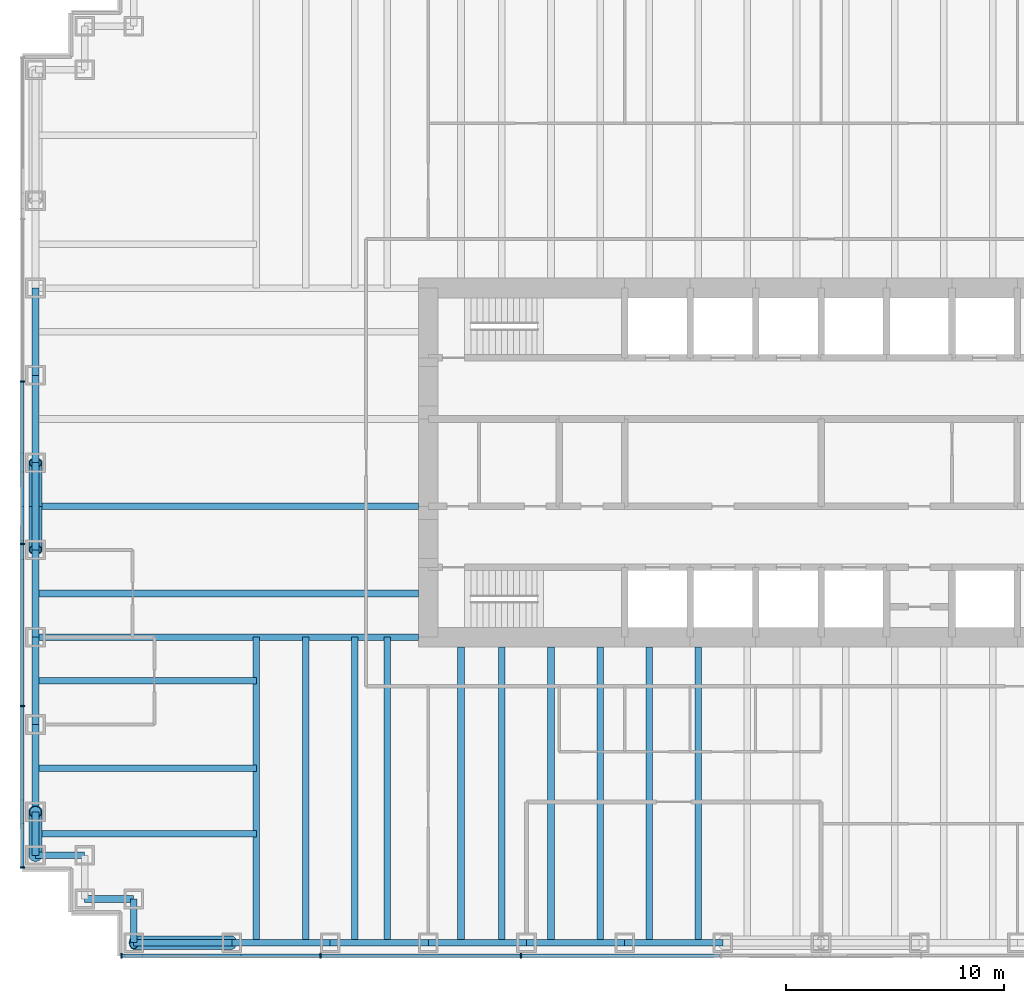
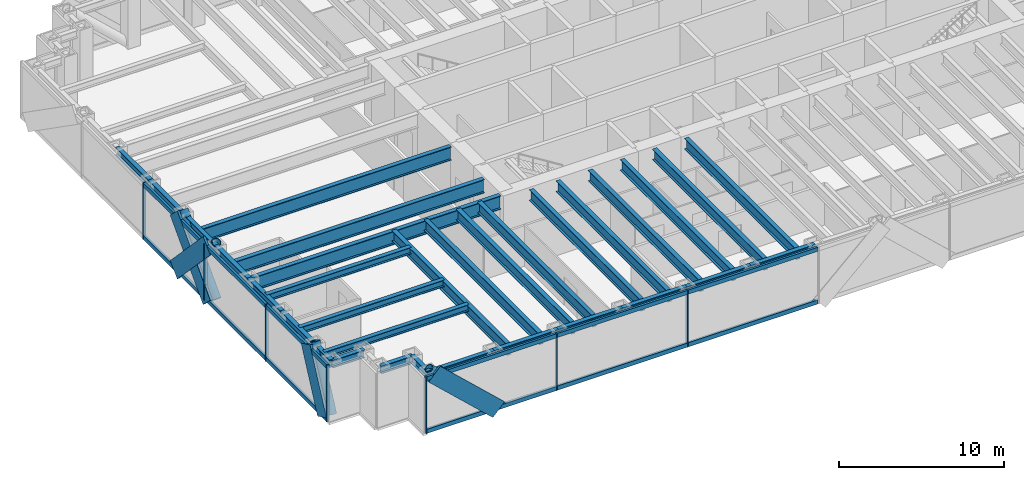
# One storey, part 2 of 17: 32 beams, 27 members, 2 elements without a shape of their own.
"""IFC4 building model written with IfcOpenShell, lengths in metres."""

import ifcopenshell
import ifcopenshell.guid

model = None  # the IFC model being written
_history = None  # IfcOwnerHistory: only IFC2X3 demands one
_inside = {}  # id of a spatial element -> (the spatial element, [elements in it])
_under = {}  # id of a project, library or spatial element -> (it, [spatial elements below it])
_declared = {}  # id of a project -> (the project, [libraries it declares])
_typed = {}  # id of a type object -> (the type object, [elements of that type])
_made_of = {}  # id of a material, layer set ... -> (it, [elements and type objects made of it])


def new_model(schema):
    """Start an empty IFC model of exactly this schema.

    Asked for "IFC4X3", IfcOpenShell would pick the latest addendum, in which some entities
    have other attributes; the version numbers below select the first issue.
    IFC2X3 requires an IfcOwnerHistory on every rooted entity: one is made here for all.
    """
    global model, _history
    if schema == "IFC4X3":
        model = ifcopenshell.file(schema_version=(4, 3, 0, 0))
    else:
        model = ifcopenshell.file(schema=schema)
    _inside.clear()
    _under.clear()
    _declared.clear()
    _typed.clear()
    _made_of.clear()
    _history = None
    if model.schema == "IFC2X3":
        org = make("IfcOrganization", Name="unknown")
        user = make(
            "IfcPersonAndOrganization",
            ThePerson=make("IfcPerson", FamilyName="unknown"),
            TheOrganization=org,
        )
        app = make(
            "IfcApplication",
            ApplicationDeveloper=org,
            Version="unknown",
            ApplicationFullName="unknown",
            ApplicationIdentifier="unknown",
        )
        _history = make(
            "IfcOwnerHistory",
            OwningUser=user,
            OwningApplication=app,
            ChangeAction="ADDED",
            CreationDate=0,
        )
    return model


def make(cls, **values):
    """One entity of the class cls with the attributes given. An attribute that is None is left unset."""
    return model.create_entity(
        cls, **{name: value for name, value in values.items() if value is not None}
    )


def rooted(cls, **values):
    """An entity with a GlobalId (a new one), such as an element, a storey or a relation."""
    return make(cls, GlobalId=ifcopenshell.guid.new(), OwnerHistory=_history, **values)


def si_unit(unit_type, name, prefix=None):
    """IfcSIUnit, for example si_unit("LENGTHUNIT", "METRE", prefix="MILLI")."""
    return make("IfcSIUnit", UnitType=unit_type, Prefix=prefix, Name=name)


def assignment(units):
    """IfcUnitAssignment: the units of a project."""
    return None if units is None else make("IfcUnitAssignment", Units=units)


def point(xyz):
    """IfcCartesianPoint."""
    return None if xyz is None else make("IfcCartesianPoint", Coordinates=xyz)


def direction(xyz):
    """IfcDirection."""
    return None if xyz is None else make("IfcDirection", DirectionRatios=xyz)


def frame(location, z_axis=None, x_axis=None):
    """IfcAxis2Placement3D, a coordinate frame: its origin and axes. An axis left out is left unset."""
    return make(
        "IfcAxis2Placement3D",
        Location=point(location),
        Axis=direction(z_axis),
        RefDirection=direction(x_axis),
    )


def frame_2d(location, x_axis=None):
    """IfcAxis2Placement2D, a coordinate frame in the plane: its origin and x axis."""
    return make(
        "IfcAxis2Placement2D", Location=point(location), RefDirection=direction(x_axis)
    )


def origin():
    """The frame at (0, 0, 0) with its axes left unset."""
    return frame((0.0, 0.0, 0.0))


def origin_2d():
    """The frame at (0, 0) in the plane with its x axis left unset."""
    return frame_2d((0.0, 0.0))


def place(relative_to, where):
    """IfcLocalPlacement: puts the frame where relative to a parent placement (None: the world)."""
    return make(
        "IfcLocalPlacement", PlacementRelTo=relative_to, RelativePlacement=where
    )


def context(
    kind, dimensions, precision=None, world=None, true_north=None, identifier=None
):
    """IfcGeometricRepresentationContext, for example the 3D "Model" context."""
    return make(
        "IfcGeometricRepresentationContext",
        ContextIdentifier=identifier,
        ContextType=kind,
        CoordinateSpaceDimension=dimensions,
        Precision=precision,
        WorldCoordinateSystem=world,
        TrueNorth=true_north,
    )


def subcontext(parent, identifier, kind, view, scale=None):
    """IfcGeometricRepresentationSubContext, for example "Body" below "Model"."""
    return make(
        "IfcGeometricRepresentationSubContext",
        ContextIdentifier=identifier,
        ContextType=kind,
        ParentContext=parent,
        TargetScale=scale,
        TargetView=view,
    )


def project(units=None, contexts=None):
    """IfcProject with its units and contexts."""
    return rooted(
        "IfcProject",
        Name="project",
        RepresentationContexts=contexts,
        UnitsInContext=assignment(units),
    )


def spatial(cls, under=None, at=None, **own):
    """A site, building, storey or space (cls), placed at a placement, below another one or the project."""
    s = rooted(cls, ObjectPlacement=at, **own)
    if under is not None:
        _under.setdefault(under.id(), (under, []))[1].append(s)
    return s


def profile(cls, at=None, kind="AREA", **sizes):
    """A parametric profile (cls). Its sizes go by their IFC names, for example OverallWidth=200.0."""
    return make(cls, ProfileType=kind, Position=at, **sizes)


def rectangle(**sizes):
    """IfcRectangleProfileDef."""
    return profile("IfcRectangleProfileDef", **sizes)


def hollow_circle(**sizes):
    """IfcCircleHollowProfileDef."""
    return profile("IfcCircleHollowProfileDef", **sizes)


def i_section(**sizes):
    """IfcIShapeProfileDef."""
    return profile("IfcIShapeProfileDef", **sizes)


def extrude(swept, where, along, depth):
    """IfcExtrudedAreaSolid: the profile swept, set in the frame where, extruded along a direction by depth."""
    return make(
        "IfcExtrudedAreaSolid",
        SweptArea=swept,
        Position=where,
        ExtrudedDirection=direction(along),
        Depth=depth,
    )


def shape(context_of_items, identifier, shape_type, items):
    """IfcShapeRepresentation: the items that make up one representation, for example the "Body"."""
    return make(
        "IfcShapeRepresentation",
        ContextOfItems=context_of_items,
        RepresentationIdentifier=identifier,
        RepresentationType=shape_type,
        Items=items,
    )


def material(Name=None, Category=None):
    """IfcMaterial."""
    return make("IfcMaterial", Name=Name, Category=Category)


def material_profile(
    of_material, cross_section, Name=None, Category=None, Priority=None
):
    """IfcMaterialProfile: a cross section and its material."""
    return make(
        "IfcMaterialProfile",
        Name=Name,
        Material=of_material,
        Profile=cross_section,
        Priority=Priority,
        Category=Category,
    )


def profile_set(profiles, Name=None, composite=None):
    """IfcMaterialProfileSet."""
    return make(
        "IfcMaterialProfileSet",
        Name=Name,
        MaterialProfiles=profiles,
        CompositeProfile=composite,
    )


def made_of(thing, what):
    """Note that an element or type object is made of a material, layer set ...; save() writes the relation."""
    if what is not None:
        _made_of.setdefault(what.id(), (what, []))[1].append(thing)
    return thing


def type_object(cls, material=None, **own):
    """A type object (cls), such as IfcWallType, which elements share."""
    return made_of(rooted(cls, **own), material)


def element(
    cls,
    number,
    at=None,
    inside=None,
    cuts=None,
    type_object=None,
    material=None,
    context=None,
    identifier="Body",
    shape_type=None,
    held_by="IfcProductDefinitionShape",
    body=None,
    shapes=None,
    **own,
):
    """One element of the class cls, such as IfcWall. Its Tag is "e" and its number.

    at: its placement. inside: the storey or other place that contains it. cuts: it is an
    opening in that element (IfcRelVoidsElement). A single representation is given by context,
    identifier, shape_type and body (its items); several are given by shapes. held_by: the class
    of the entity that holds the representations. save() writes the other relations.
    """
    e = rooted(cls, Tag="e%d" % number, ObjectPlacement=at, **own)
    if body is not None:
        shapes = [shape(context, identifier, shape_type, body)]
    if shapes is not None:
        e.Representation = make(held_by, Representations=shapes)
    if inside is not None:
        _inside.setdefault(inside.id(), (inside, []))[1].append(e)
    if cuts is not None:
        rooted(
            "IfcRelVoidsElement", RelatingBuildingElement=cuts, RelatedOpeningElement=e
        )
    if type_object is not None:
        _typed.setdefault(type_object.id(), (type_object, []))[1].append(e)
    return made_of(e, material)


def aggregate(whole, parts):
    """IfcRelAggregates: a whole, such as a stair, and the parts it consists of."""
    return rooted("IfcRelAggregates", RelatingObject=whole, RelatedObjects=parts)


def save(model, path):
    """Write the relations noted so far, then the file.

    IfcRelAggregates (storeys below a building ...), IfcRelContainedInSpatialStructure (elements
    in a storey), IfcRelDefinesByType, IfcRelAssociatesMaterial and IfcRelDeclares: one each for
    every whole, place, type object, material and project.
    """
    for whole, parts in _under.values():
        aggregate(whole, parts)
    for where, things in _inside.values():
        rooted(
            "IfcRelContainedInSpatialStructure",
            RelatedElements=things,
            RelatingStructure=where,
        )
    for kind, things in _typed.values():
        rooted("IfcRelDefinesByType", RelatedObjects=things, RelatingType=kind)
    for what, things in _made_of.values():
        rooted("IfcRelAssociatesMaterial", RelatedObjects=things, RelatingMaterial=what)
    for by, libraries in _declared.values():
        rooted("IfcRelDeclares", RelatingContext=by, RelatedDefinitions=libraries)
    model.write(path)


model = new_model("IFC4")

# Units and contexts
model_context = context("Model", 3, precision=1e-05, world=origin(), true_north=direction((0.0, 1.0)))
body_context = subcontext(model_context, "Body", "Model", "MODEL_VIEW")
ifc_project = project(units=[si_unit("LENGTHUNIT", "METRE"), si_unit("AREAUNIT", "SQUARE_METRE"), si_unit("VOLUMEUNIT", "CUBIC_METRE"), si_unit("PLANEANGLEUNIT", "RADIAN"), si_unit("MASSUNIT", "GRAM", prefix="KILO")], contexts=[model_context])

# Site, building, storey
site_placement = place(None, origin())
site = spatial("IfcSite", under=ifc_project, at=site_placement, CompositionType="ELEMENT")
building_placement = place(site_placement, origin())
building = spatial("IfcBuilding", under=site, at=building_placement, Name="Rheinbord Bourse Tower", CompositionType="ELEMENT")
storey_placement = place(building_placement, frame((0.0, 0.0, 121.5)))
storey = spatial("IfcBuildingStorey", under=building, at=storey_placement, Name="L26", CompositionType="ELEMENT", Elevation=121.5)

# Curtain wall, member
ifc_material_1 = material(Name="Dark glass and black aluminium", Category="aluminium")
curtain_wall_type = type_object("IfcCurtainWallType", Name="CW2 DARK GLASS CURTAIN WALL", PredefinedType="USERDEFINED", material=ifc_material_1)
curtain_wall_1_placement = place(storey_placement, origin())
curtain_wall_1 = element("IfcCurtainWall", 1, at=curtain_wall_1_placement, inside=storey, type_object=curtain_wall_type, Name="Curtain wall CW2 S L26", ObjectType="UNITISED CURTAIN WALL", PredefinedType="USERDEFINED")
ifc_material_2 = material(Name="Black anodised aluminium", Category="aluminium")
ifc_material_profile_1 = material_profile(ifc_material_2, rectangle(XDim=0.159912109375, YDim=1.2099609375, at=origin_2d()), Name="CW2 DIAGONAL MULLION 1210x160")
ifc_profile_set_1 = profile_set([ifc_material_profile_1], Name="Black anodised aluminium")
member_type_1 = type_object("IfcMemberType", Name="CW2 BLACK DIAGONAL MULLION", PredefinedType="USERDEFINED", material=ifc_profile_set_1)
member_1_placement = place(storey_placement, frame((9.0, 1.39990234375, 0.0), z_axis=(-0.73105922506, 0.0, 0.682314010889), x_axis=(0.0, -1.0, 0.0)))
member_1 = element("IfcMember", 2, at=member_1_placement, type_object=member_type_1, Name="CW2 diagonal mullion a", ObjectType="DIAGONAL MULLION", PredefinedType="USERDEFINED", context=body_context, shape_type="SweptSolid", body=[
    extrude(rectangle(XDim=0.159912109375, YDim=1.2099609375, at=origin_2d()), origin(), (0.0, 0.0, 1.0), 6.155517578125),
])

# Curtain wall, members
curtain_wall_2_placement = place(storey_placement, origin())
curtain_wall_2 = element("IfcCurtainWall", 3, at=curtain_wall_2_placement, inside=storey, type_object=curtain_wall_type, Name="Curtain wall CW2 W L26", ObjectType="UNITISED CURTAIN WALL", PredefinedType="USERDEFINED")
member_2_placement = place(storey_placement, frame((-0.60009765625, 6.0, 0.0), z_axis=(0.0, 0.429937654825, 0.902858578607), x_axis=(-1.0, 0.0, 0.0)))
member_2 = element("IfcMember", 4, at=member_2_placement, type_object=member_type_1, Name="CW2 diagonal mullion b", ObjectType="DIAGONAL MULLION", PredefinedType="USERDEFINED", context=body_context, shape_type="SweptSolid", body=[
    extrude(rectangle(XDim=0.159912109375, YDim=1.2099609375, at=origin_2d()), origin(), (0.0, 0.0, 1.0), 4.65185546875),
])
member_3_placement = place(storey_placement, frame((-0.60009765625, 24.0, 0.0), z_axis=(0.0, -0.689659376744, 0.724133926887), x_axis=(1.0, 0.0, 0.0)))
member_3 = element("IfcMember", 5, at=member_3_placement, type_object=member_type_1, Name="CW2 diagonal mullion c", ObjectType="DIAGONAL MULLION", PredefinedType="USERDEFINED", context=body_context, shape_type="SweptSolid", body=[
    extrude(rectangle(XDim=0.159912109375, YDim=1.2099609375, at=origin_2d()), origin(), (0.0, 0.0, 1.0), 5.800048828125),
])
member_4_placement = place(storey_placement, frame((-0.60009765625, 20.0, 0.0), z_axis=(0.0, 0.689659376744, 0.724133926887), x_axis=(-1.0, 0.0, 0.0)))
member_4 = element("IfcMember", 6, at=member_4_placement, type_object=member_type_1, Name="CW2 diagonal mullion d", ObjectType="DIAGONAL MULLION", PredefinedType="USERDEFINED", context=body_context, shape_type="SweptSolid", body=[
    extrude(rectangle(XDim=0.159912109375, YDim=1.2099609375, at=origin_2d()), origin(), (0.0, 0.0, 1.0), 5.800048828125),
])

# Member
ifc_material_3 = material(Name="Black anodised aluminium", Category="aluminium")
ifc_material_profile_2 = material_profile(ifc_material_3, rectangle(XDim=0.219970703125, YDim=0.070068359375, at=origin_2d()), Name="CW2 MULLION 70x220")
ifc_profile_set_2 = profile_set([ifc_material_profile_2], Name="Black anodised aluminium")
member_type_2 = type_object("IfcMemberType", Name="CW2 BLACK MULLION", PredefinedType="MULLION", material=ifc_profile_set_2)
member_5_placement = place(storey_placement, frame((3.93505859375, 1.39990234375, 0.0), z_axis=(0.0, 0.0, 1.0), x_axis=(0.0, 1.0, 0.0)))
member_5 = element("IfcMember", 7, at=member_5_placement, type_object=member_type_2, Name="CW2 mullion 1", PredefinedType="MULLION", context=body_context, shape_type="SweptSolid", body=[
    extrude(rectangle(XDim=0.219970703125, YDim=0.070068359375, at=origin_2d()), origin(), (0.0, 0.0, 1.0), 4.199951171875),
])

member_6_placement = place(storey_placement, frame((13.071533203125, 1.39990234375, 0.0), z_axis=(0.0, 0.0, 1.0), x_axis=(0.0, 1.0, 0.0)))
member_6 = element("IfcMember", 8, at=member_6_placement, type_object=member_type_2, Name="CW2 mullion 2", PredefinedType="MULLION", context=body_context, shape_type="SweptSolid", body=[
    extrude(rectangle(XDim=0.219970703125, YDim=0.070068359375, at=origin_2d()), origin(), (0.0, 0.0, 1.0), 4.199951171875),
])

member_7_placement = place(storey_placement, frame((22.242919921875, 1.39990234375, 0.0), z_axis=(0.0, 0.0, 1.0), x_axis=(0.0, 1.0, 0.0)))
member_7 = element("IfcMember", 9, at=member_7_placement, type_object=member_type_2, Name="CW2 mullion 3", PredefinedType="MULLION", context=body_context, shape_type="SweptSolid", body=[
    extrude(rectangle(XDim=0.219970703125, YDim=0.070068359375, at=origin_2d()), origin(), (0.0, 0.0, 1.0), 4.199951171875),
])

member_8_placement = place(storey_placement, frame((-0.60009765625, 27.719970703125, 0.0), z_axis=(0.0, 0.0, 1.0), x_axis=(1.0, 0.0, 0.0)))
member_8 = element("IfcMember", 10, at=member_8_placement, type_object=member_type_2, Name="CW2 mullion 3", PredefinedType="MULLION", context=body_context, shape_type="SweptSolid", body=[
    extrude(rectangle(XDim=0.219970703125, YDim=0.070068359375, at=origin_2d()), origin(), (0.0, 0.0, 1.0), 4.199951171875),
])

member_9_placement = place(storey_placement, frame((-0.60009765625, 20.280029296875, 0.0), z_axis=(0.0, 0.0, 1.0), x_axis=(1.0, 0.0, 0.0)))
member_9 = element("IfcMember", 11, at=member_9_placement, type_object=member_type_2, Name="CW2 mullion 4", PredefinedType="MULLION", context=body_context, shape_type="SweptSolid", body=[
    extrude(rectangle(XDim=0.219970703125, YDim=0.070068359375, at=origin_2d()), origin(), (0.0, 0.0, 1.0), 4.199951171875),
])

member_10_placement = place(storey_placement, frame((-0.60009765625, 12.840087890625, 0.0), z_axis=(0.0, 0.0, 1.0), x_axis=(1.0, 0.0, 0.0)))
member_10 = element("IfcMember", 12, at=member_10_placement, type_object=member_type_2, Name="CW2 mullion 5", PredefinedType="MULLION", context=body_context, shape_type="SweptSolid", body=[
    extrude(rectangle(XDim=0.219970703125, YDim=0.070068359375, at=origin_2d()), origin(), (0.0, 0.0, 1.0), 4.199951171875),
])

member_11_placement = place(storey_placement, frame((-0.60009765625, 5.43505859375, 0.0), z_axis=(0.0, 0.0, 1.0), x_axis=(1.0, 0.0, 0.0)))
member_11 = element("IfcMember", 13, at=member_11_placement, type_object=member_type_2, Name="CW2 mullion 6", PredefinedType="MULLION", context=body_context, shape_type="SweptSolid", body=[
    extrude(rectangle(XDim=0.219970703125, YDim=0.070068359375, at=origin_2d()), origin(), (0.0, 0.0, 1.0), 4.199951171875),
])

ifc_material_4 = material(Name="Black anodised aluminium", Category="aluminium")
ifc_material_profile_3 = material_profile(ifc_material_4, rectangle(XDim=0.159912109375, YDim=0.300048828125, at=origin_2d()), Name="CW2 TRANSOM 300x160")
ifc_profile_set_3 = profile_set([ifc_material_profile_3], Name="Black anodised aluminium")
member_type_3 = type_object("IfcMemberType", Name="CW2 BLACK TRANSOM", PredefinedType="USERDEFINED", material=ifc_profile_set_3)
member_12_placement = place(storey_placement, frame((3.969970703125, 1.39990234375, 0.14990234375), z_axis=(1.0, 0.0, 0.0), x_axis=(0.0, 1.0, 0.0)))
member_12 = element("IfcMember", 14, at=member_12_placement, type_object=member_type_3, Name="CW2 transom 1.1", ObjectType="TRANSOM", PredefinedType="USERDEFINED", context=body_context, shape_type="SweptSolid", body=[
    extrude(rectangle(XDim=0.159912109375, YDim=0.300048828125, at=origin_2d()), origin(), (0.0, 0.0, 1.0), 9.06640625),
])

member_13_placement = place(storey_placement, frame((3.969970703125, 1.39990234375, 4.050048828125), z_axis=(1.0, 0.0, 0.0), x_axis=(0.0, 1.0, 0.0)))
member_13 = element("IfcMember", 15, at=member_13_placement, type_object=member_type_3, Name="CW2 transom 1.2", ObjectType="TRANSOM", PredefinedType="USERDEFINED", context=body_context, shape_type="SweptSolid", body=[
    extrude(rectangle(XDim=0.159912109375, YDim=0.300048828125, at=origin_2d()), origin(), (0.0, 0.0, 1.0), 9.06640625),
])

member_14_placement = place(storey_placement, frame((13.1064453125, 1.39990234375, 0.14990234375), z_axis=(1.0, 0.0, 0.0), x_axis=(0.0, 1.0, 0.0)))
member_14 = element("IfcMember", 16, at=member_14_placement, type_object=member_type_3, Name="CW2 transom 2.1", ObjectType="TRANSOM", PredefinedType="USERDEFINED", context=body_context, shape_type="SweptSolid", body=[
    extrude(rectangle(XDim=0.159912109375, YDim=0.300048828125, at=origin_2d()), origin(), (0.0, 0.0, 1.0), 9.101318359375),
])

member_15_placement = place(storey_placement, frame((13.1064453125, 1.39990234375, 4.050048828125), z_axis=(1.0, 0.0, 0.0), x_axis=(0.0, 1.0, 0.0)))
member_15 = element("IfcMember", 17, at=member_15_placement, type_object=member_type_3, Name="CW2 transom 2.2", ObjectType="TRANSOM", PredefinedType="USERDEFINED", context=body_context, shape_type="SweptSolid", body=[
    extrude(rectangle(XDim=0.159912109375, YDim=0.300048828125, at=origin_2d()), origin(), (0.0, 0.0, 1.0), 9.101318359375),
])

member_16_placement = place(storey_placement, frame((22.27783203125, 1.39990234375, 0.14990234375), z_axis=(1.0, 0.0, 0.0), x_axis=(0.0, 1.0, 0.0)))
member_16 = element("IfcMember", 18, at=member_16_placement, type_object=member_type_3, Name="CW2 transom 3.1", ObjectType="TRANSOM", PredefinedType="USERDEFINED", context=body_context, shape_type="SweptSolid", body=[
    extrude(rectangle(XDim=0.159912109375, YDim=0.300048828125, at=origin_2d()), origin(), (0.0, 0.0, 1.0), 9.1015625),
])

member_17_placement = place(storey_placement, frame((22.27783203125, 1.39990234375, 4.050048828125), z_axis=(1.0, 0.0, 0.0), x_axis=(0.0, 1.0, 0.0)))
member_17 = element("IfcMember", 19, at=member_17_placement, type_object=member_type_3, Name="CW2 transom 3.2", ObjectType="TRANSOM", PredefinedType="USERDEFINED", context=body_context, shape_type="SweptSolid", body=[
    extrude(rectangle(XDim=0.159912109375, YDim=0.300048828125, at=origin_2d()), origin(), (0.0, 0.0, 1.0), 9.1015625),
])

aggregate(curtain_wall_1, [member_5, member_6, member_7, member_12, member_13, member_14, member_15, member_16, member_17, member_1])

member_18_placement = place(storey_placement, frame((-0.60009765625, 27.68505859375, 0.14990234375), z_axis=(0.0, -1.0, 0.0), x_axis=(1.0, 0.0, 0.0)))
member_18 = element("IfcMember", 20, at=member_18_placement, type_object=member_type_3, Name="CW2 transom 3.1", ObjectType="TRANSOM", PredefinedType="USERDEFINED", context=body_context, shape_type="SweptSolid", body=[
    extrude(rectangle(XDim=0.159912109375, YDim=0.300048828125, at=origin_2d()), origin(), (0.0, 0.0, 1.0), 7.3701171875),
])

member_19_placement = place(storey_placement, frame((-0.60009765625, 27.68505859375, 4.050048828125), z_axis=(0.0, -1.0, 0.0), x_axis=(1.0, 0.0, 0.0)))
member_19 = element("IfcMember", 21, at=member_19_placement, type_object=member_type_3, Name="CW2 transom 3.2", ObjectType="TRANSOM", PredefinedType="USERDEFINED", context=body_context, shape_type="SweptSolid", body=[
    extrude(rectangle(XDim=0.159912109375, YDim=0.300048828125, at=origin_2d()), origin(), (0.0, 0.0, 1.0), 7.3701171875),
])

member_20_placement = place(storey_placement, frame((-0.60009765625, 20.2451171875, 0.14990234375), z_axis=(0.0, -1.0, 0.0), x_axis=(1.0, 0.0, 0.0)))
member_20 = element("IfcMember", 22, at=member_20_placement, type_object=member_type_3, Name="CW2 transom 4.1", ObjectType="TRANSOM", PredefinedType="USERDEFINED", context=body_context, shape_type="SweptSolid", body=[
    extrude(rectangle(XDim=0.159912109375, YDim=0.300048828125, at=origin_2d()), origin(), (0.0, 0.0, 1.0), 7.3701171875),
])

member_21_placement = place(storey_placement, frame((-0.60009765625, 20.2451171875, 4.050048828125), z_axis=(0.0, -1.0, 0.0), x_axis=(1.0, 0.0, 0.0)))
member_21 = element("IfcMember", 23, at=member_21_placement, type_object=member_type_3, Name="CW2 transom 4.2", ObjectType="TRANSOM", PredefinedType="USERDEFINED", context=body_context, shape_type="SweptSolid", body=[
    extrude(rectangle(XDim=0.159912109375, YDim=0.300048828125, at=origin_2d()), origin(), (0.0, 0.0, 1.0), 7.3701171875),
])

member_22_placement = place(storey_placement, frame((-0.60009765625, 12.804931640625, 0.14990234375), z_axis=(0.0, -1.0, 0.0), x_axis=(1.0, 0.0, 0.0)))
member_22 = element("IfcMember", 24, at=member_22_placement, type_object=member_type_3, Name="CW2 transom 5.1", ObjectType="TRANSOM", PredefinedType="USERDEFINED", context=body_context, shape_type="SweptSolid", body=[
    extrude(rectangle(XDim=0.159912109375, YDim=0.300048828125, at=origin_2d()), origin(), (0.0, 0.0, 1.0), 7.3349609375),
])

member_23_placement = place(storey_placement, frame((-0.60009765625, 12.804931640625, 4.050048828125), z_axis=(0.0, -1.0, 0.0), x_axis=(1.0, 0.0, 0.0)))
member_23 = element("IfcMember", 25, at=member_23_placement, type_object=member_type_3, Name="CW2 transom 5.2", ObjectType="TRANSOM", PredefinedType="USERDEFINED", context=body_context, shape_type="SweptSolid", body=[
    extrude(rectangle(XDim=0.159912109375, YDim=0.300048828125, at=origin_2d()), origin(), (0.0, 0.0, 1.0), 7.3349609375),
])

aggregate(curtain_wall_2, [member_8, member_9, member_10, member_11, member_18, member_19, member_20, member_21, member_22, member_23, member_2, member_3, member_4])

# Beams
ifc_material_5 = material(Name="Steel S460", Category="steel")
ifc_material_profile_4 = material_profile(ifc_material_5, i_section(OverallWidth=0.302001953125, OverallDepth=1.008056640625, WebThickness=0.02099609375, FlangeThickness=0.0400390625, at=origin_2d()), Name="HEM 1000")
ifc_profile_set_4 = profile_set([ifc_material_profile_4], Name="Steel S460")
beam_type_1 = type_object("IfcBeamType", Name="END BEAM HEM 1000", PredefinedType="BEAM", material=ifc_profile_set_4)
for number, where, z_axis, x_axis, name in (
    (26, (0.0, 18.0, 3.535888671875), (1.0, 0.0, 0.0), (0.0, 1.0, 0.0), "End beam west 18 L27"),
    (27, (0.0, 22.0, 3.535888671875), (1.0, 0.0, 0.0), (0.0, 1.0, 0.0), "End beam west 22 L27"),
):
    element("IfcBeam", number, at=place(storey_placement, frame(where, z_axis=z_axis, x_axis=x_axis)), inside=storey, type_object=beam_type_1, Name=name, PredefinedType="BEAM", context=body_context, shape_type="SweptSolid", body=[
        extrude(i_section(OverallWidth=0.302001953125, OverallDepth=1.008056640625, WebThickness=0.02099609375, FlangeThickness=0.0400390625, at=origin_2d()), origin(), (0.0, 0.0, 1.0), 17.550048828125),
    ])
ifc_material_6 = material(Name="Steel S460", Category="steel")
ifc_material_profile_5 = material_profile(ifc_material_6, i_section(OverallWidth=0.300048828125, OverallDepth=0.800048828125, WebThickness=0.017578125, FlangeThickness=0.032958984375, at=origin_2d()), Name="HEB 800")
ifc_profile_set_5 = profile_set([ifc_material_profile_5], Name="Steel S460")
beam_type_2 = type_object("IfcBeamType", Name="FLOOR BEAM HEB 800", PredefinedType="BEAM", material=ifc_profile_set_5)
for number, where, z_axis, x_axis, name in (
    (28, (10.125, 2.0, 3.639892578125), (0.0, 1.0, 0.0), (-1.0, 0.0, 0.0), "Floor beam S-9a L27"),
    (29, (12.375, 2.0, 3.639892578125), (0.0, 1.0, 0.0), (-1.0, 0.0, 0.0), "Floor beam S-9b L27"),
    (30, (14.625, 2.0, 3.639892578125), (0.0, 1.0, 0.0), (-1.0, 0.0, 0.0), "Floor beam S-13.5a L27"),
    (31, (16.125, 2.0, 3.639892578125), (0.0, 1.0, 0.0), (-1.0, 0.0, 0.0), "Floor beam S-13.5b L27"),
):
    element("IfcBeam", number, at=place(storey_placement, frame(where, z_axis=z_axis, x_axis=x_axis)), inside=storey, type_object=beam_type_2, Name=name, PredefinedType="BEAM", context=body_context, shape_type="SweptSolid", body=[
        extrude(i_section(OverallWidth=0.300048828125, OverallDepth=0.800048828125, WebThickness=0.017578125, FlangeThickness=0.032958984375, at=origin_2d()), origin(), (0.0, 0.0, 1.0), 14.0),
    ])
for number, where, z_axis, x_axis, name in (
    (32, (19.5, 2.0, 3.639892578125), (0.0, 1.0, 0.0), (-1.0, 0.0, 0.0), "Floor beam S-18a L27"),
    (33, (21.375, 2.0, 3.639892578125), (0.0, 1.0, 0.0), (-1.0, 0.0, 0.0), "Floor beam S-18b L27"),
    (34, (23.625, 2.0, 3.639892578125), (0.0, 1.0, 0.0), (-1.0, 0.0, 0.0), "Floor beam S-22.5a L27"),
    (35, (25.875, 2.0, 3.639892578125), (0.0, 1.0, 0.0), (-1.0, 0.0, 0.0), "Floor beam S-22.5b L27"),
    (36, (28.125, 2.0, 3.639892578125), (0.0, 1.0, 0.0), (-1.0, 0.0, 0.0), "Floor beam S-27a L27"),
    (37, (30.375, 2.0, 3.639892578125), (0.0, 1.0, 0.0), (-1.0, 0.0, 0.0), "Floor beam S-27b L27"),
):
    element("IfcBeam", number, at=place(storey_placement, frame(where, z_axis=z_axis, x_axis=x_axis)), inside=storey, type_object=beam_type_2, Name=name, PredefinedType="BEAM", context=body_context, shape_type="SweptSolid", body=[
        extrude(i_section(OverallWidth=0.300048828125, OverallDepth=0.800048828125, WebThickness=0.017578125, FlangeThickness=0.032958984375, at=origin_2d()), origin(), (0.0, 0.0, 1.0), 13.550048828125),
    ])
ifc_material_7 = material(Name="Steel S460", Category="steel")
ifc_material_profile_6 = material_profile(ifc_material_7, i_section(OverallWidth=0.302001953125, OverallDepth=1.008056640625, WebThickness=0.02099609375, FlangeThickness=0.0400390625, at=origin_2d()), Name="HEM 1000")
ifc_profile_set_6 = profile_set([ifc_material_profile_6], Name="Steel S460")
beam_type_3 = type_object("IfcBeamType", Name="GIRDER HEM 1000", PredefinedType="BEAM", material=ifc_profile_set_6)
beam_1_placement = place(storey_placement, frame((0.0, 16.0, 3.535888671875), z_axis=(1.0, 0.0, 0.0), x_axis=(0.0, 1.0, 0.0)))
element("IfcBeam", 38, at=beam_1_placement, inside=storey, type_object=beam_type_3, Name="Girder west 16 L27", PredefinedType="BEAM", context=body_context, shape_type="SweptSolid", body=[
    extrude(i_section(OverallWidth=0.302001953125, OverallDepth=1.008056640625, WebThickness=0.02099609375, FlangeThickness=0.0400390625, at=origin_2d()), origin(), (0.0, 0.0, 1.0), 17.550048828125),
])

# Members
ifc_material_8 = material(Name="Steel S460", Category="steel")
ifc_material_profile_7 = material_profile(ifc_material_8, hollow_circle(Radius=0.304931640625, WallThickness=0.0400390625, at=origin_2d()), Name="CHS 610x40")
ifc_profile_set_7 = profile_set([ifc_material_profile_7], Name="Steel S460")
member_type_4 = type_object("IfcMemberType", Name="MEGABRACE CHS 610x40", PredefinedType="BRACE", material=ifc_profile_set_7)
member_24_placement = place(storey_placement, frame((9.0, 2.0, 0.0), z_axis=(-0.73105922506, 0.0, 0.682314010889), x_axis=(0.0, -1.0, 0.0)))
element("IfcMember", 39, at=member_24_placement, inside=storey, type_object=member_type_4, Name="Megabrace S face line a L26", PredefinedType="BRACE", context=body_context, shape_type="SweptSolid", body=[
    extrude(hollow_circle(Radius=0.304931640625, WallThickness=0.0400390625, at=origin_2d()), origin(), (0.0, 0.0, 1.0), 6.155517578125),
])
member_25_placement = place(storey_placement, frame((0.0, 6.0, 0.0), z_axis=(0.0, 0.429937654825, 0.902858578607), x_axis=(-1.0, 0.0, 0.0)))
element("IfcMember", 40, at=member_25_placement, inside=storey, type_object=member_type_4, Name="Megabrace W face line b L26", PredefinedType="BRACE", context=body_context, shape_type="SweptSolid", body=[
    extrude(hollow_circle(Radius=0.304931640625, WallThickness=0.0400390625, at=origin_2d()), origin(), (0.0, 0.0, 1.0), 4.65185546875),
])
for number, where, z_axis, x_axis, name in (
    (41, (0.0, 24.0, 0.0), (0.0, -0.689659376744, 0.724133926887), (1.0, 0.0, 0.0), "Megabrace W face line c L26"),
    (42, (0.0, 20.0, 0.0), (0.0, 0.689659376744, 0.724133926887), (-1.0, 0.0, 0.0), "Megabrace W face line d L26"),
):
    element("IfcMember", number, at=place(storey_placement, frame(where, z_axis=z_axis, x_axis=x_axis)), inside=storey, type_object=member_type_4, Name=name, PredefinedType="BRACE", context=body_context, shape_type="SweptSolid", body=[
        extrude(hollow_circle(Radius=0.304931640625, WallThickness=0.0400390625, at=origin_2d()), origin(), (0.0, 0.0, 1.0), 5.800048828125),
    ])

# Beams
ifc_material_9 = material(Name="Steel S460", Category="steel")
ifc_material_profile_8 = material_profile(ifc_material_9, i_section(OverallWidth=0.305908203125, OverallDepth=0.572021484375, WebThickness=0.02099609375, FlangeThickness=0.0400390625, at=origin_2d()), Name="HEM 550")
ifc_profile_set_8 = profile_set([ifc_material_profile_8], Name="Steel S460")
beam_type_4 = type_object("IfcBeamType", Name="SPANDREL HEM 550", PredefinedType="SPANDREL", material=ifc_profile_set_8)
for number, where, z_axis, x_axis, name in (
    (43, (4.5, 2.0, 3.75390625), (1.0, 0.0, 0.0), (0.0, 1.0, 0.0), "Spandrel SW-E-S-9 under L27"),
    (44, (9.0, 2.0, 3.75390625), (1.0, 0.0, 0.0), (0.0, 1.0, 0.0), "Spandrel S-9-S-13.5 under L27"),
    (45, (13.5, 2.0, 3.75390625), (1.0, 0.0, 0.0), (0.0, 1.0, 0.0), "Spandrel S-13.5-S-18 under L27"),
    (46, (18.0, 2.0, 3.75390625), (1.0, 0.0, 0.0), (0.0, 1.0, 0.0), "Spandrel S-18-S-22.5 under L27"),
    (47, (22.5, 2.0, 3.75390625), (1.0, 0.0, 0.0), (0.0, 1.0, 0.0), "Spandrel S-22.5-S-27 under L27"),
    (48, (27.0, 2.0, 3.75390625), (1.0, 0.0, 0.0), (0.0, 1.0, 0.0), "Spandrel S-27-S-31.5 under L27"),
):
    element("IfcBeam", number, at=place(storey_placement, frame(where, z_axis=z_axis, x_axis=x_axis)), inside=storey, type_object=beam_type_4, Name=name, PredefinedType="SPANDREL", context=body_context, shape_type="SweptSolid", body=[
        extrude(i_section(OverallWidth=0.305908203125, OverallDepth=0.572021484375, WebThickness=0.02099609375, FlangeThickness=0.0400390625, at=origin_2d()), origin(), (0.0, 0.0, 1.0), 4.5),
    ])
for number, where, z_axis, x_axis, name in (
    (49, (0.0, 32.0, 3.75390625), (0.0, -1.0, 0.0), (1.0, 0.0, 0.0), "Spandrel W-32-W-28 under L27"),
    (50, (0.0, 28.0, 3.75390625), (0.0, -1.0, 0.0), (1.0, 0.0, 0.0), "Spandrel W-28-W-24 under L27"),
    (51, (0.0, 24.0, 3.75390625), (0.0, -1.0, 0.0), (1.0, 0.0, 0.0), "Spandrel W-24-W-20 under L27"),
    (52, (0.0, 20.0, 3.75390625), (0.0, -1.0, 0.0), (1.0, 0.0, 0.0), "Spandrel W-20-W-16 under L27"),
    (53, (0.0, 16.0, 3.75390625), (0.0, -1.0, 0.0), (1.0, 0.0, 0.0), "Spandrel W-16-W-12 under L27"),
    (54, (0.0, 12.0, 3.75390625), (0.0, -1.0, 0.0), (1.0, 0.0, 0.0), "Spandrel W-12-W-8 under L27"),
):
    element("IfcBeam", number, at=place(storey_placement, frame(where, z_axis=z_axis, x_axis=x_axis)), inside=storey, type_object=beam_type_4, Name=name, PredefinedType="SPANDREL", context=body_context, shape_type="SweptSolid", body=[
        extrude(i_section(OverallWidth=0.305908203125, OverallDepth=0.572021484375, WebThickness=0.02099609375, FlangeThickness=0.0400390625, at=origin_2d()), origin(), (0.0, 0.0, 1.0), 4.0),
    ])
beam_2_placement = place(storey_placement, frame((0.0, 8.0, 3.75390625), z_axis=(0.0, -1.0, 0.0), x_axis=(1.0, 0.0, 0.0)))
element("IfcBeam", 55, at=beam_2_placement, inside=storey, type_object=beam_type_4, Name="Spandrel W-8-SW-A under L27", PredefinedType="SPANDREL", context=body_context, shape_type="SweptSolid", body=[
    extrude(i_section(OverallWidth=0.305908203125, OverallDepth=0.572021484375, WebThickness=0.02099609375, FlangeThickness=0.0400390625, at=origin_2d()), origin(), (0.0, 0.0, 1.0), 2.0),
])
for number, where, z_axis, x_axis, name in (
    (56, (0.0, 6.0, 3.75390625), (1.0, 0.0, 0.0), (0.0, 1.0, 0.0), "Spandrel SW-A-SW-B under L27"),
    (57, (2.25, 4.0, 3.75390625), (1.0, 0.0, 0.0), (0.0, 1.0, 0.0), "Spandrel SW-C-SW-D under L27"),
):
    element("IfcBeam", number, at=place(storey_placement, frame(where, z_axis=z_axis, x_axis=x_axis)), inside=storey, type_object=beam_type_4, Name=name, PredefinedType="SPANDREL", context=body_context, shape_type="SweptSolid", body=[
        extrude(i_section(OverallWidth=0.305908203125, OverallDepth=0.572021484375, WebThickness=0.02099609375, FlangeThickness=0.0400390625, at=origin_2d()), origin(), (0.0, 0.0, 1.0), 2.25),
    ])
beam_3_placement = place(storey_placement, frame((4.5, 4.0, 3.75390625), z_axis=(0.0, -1.0, 0.0), x_axis=(1.0, 0.0, 0.0)))
element("IfcBeam", 58, at=beam_3_placement, inside=storey, type_object=beam_type_4, Name="Spandrel SW-D-SW-E under L27", PredefinedType="SPANDREL", context=body_context, shape_type="SweptSolid", body=[
    extrude(i_section(OverallWidth=0.305908203125, OverallDepth=0.572021484375, WebThickness=0.02099609375, FlangeThickness=0.0400390625, at=origin_2d()), origin(), (0.0, 0.0, 1.0), 2.0),
])
ifc_material_10 = material(Name="Steel S460", Category="steel")
ifc_material_profile_9 = material_profile(ifc_material_10, i_section(OverallWidth=0.300048828125, OverallDepth=0.5, WebThickness=0.014404296875, FlangeThickness=0.028076171875, at=origin_2d()), Name="HEB 500")
ifc_profile_set_9 = profile_set([ifc_material_profile_9], Name="Steel S460")
beam_type_5 = type_object("IfcBeamType", Name="TIE BEAM HEB 500", PredefinedType="JOIST", material=ifc_profile_set_9)
for number, where, z_axis, x_axis, name in (
    (59, (0.0, 7.0, 3.7900390625), (1.0, 0.0, 0.0), (0.0, 1.0, 0.0), "Tie west 7 L27"),
    (60, (0.0, 10.0, 3.7900390625), (1.0, 0.0, 0.0), (0.0, 1.0, 0.0), "Tie west 10 L27"),
    (61, (0.0, 14.0, 3.7900390625), (1.0, 0.0, 0.0), (0.0, 1.0, 0.0), "Tie west 14 L27"),
):
    element("IfcBeam", number, at=place(storey_placement, frame(where, z_axis=z_axis, x_axis=x_axis)), inside=storey, type_object=beam_type_5, Name=name, PredefinedType="JOIST", context=body_context, shape_type="SweptSolid", body=[
        extrude(i_section(OverallWidth=0.300048828125, OverallDepth=0.5, WebThickness=0.014404296875, FlangeThickness=0.028076171875, at=origin_2d()), origin(), (0.0, 0.0, 1.0), 10.125),
    ])

save(model, "model.ifc")
